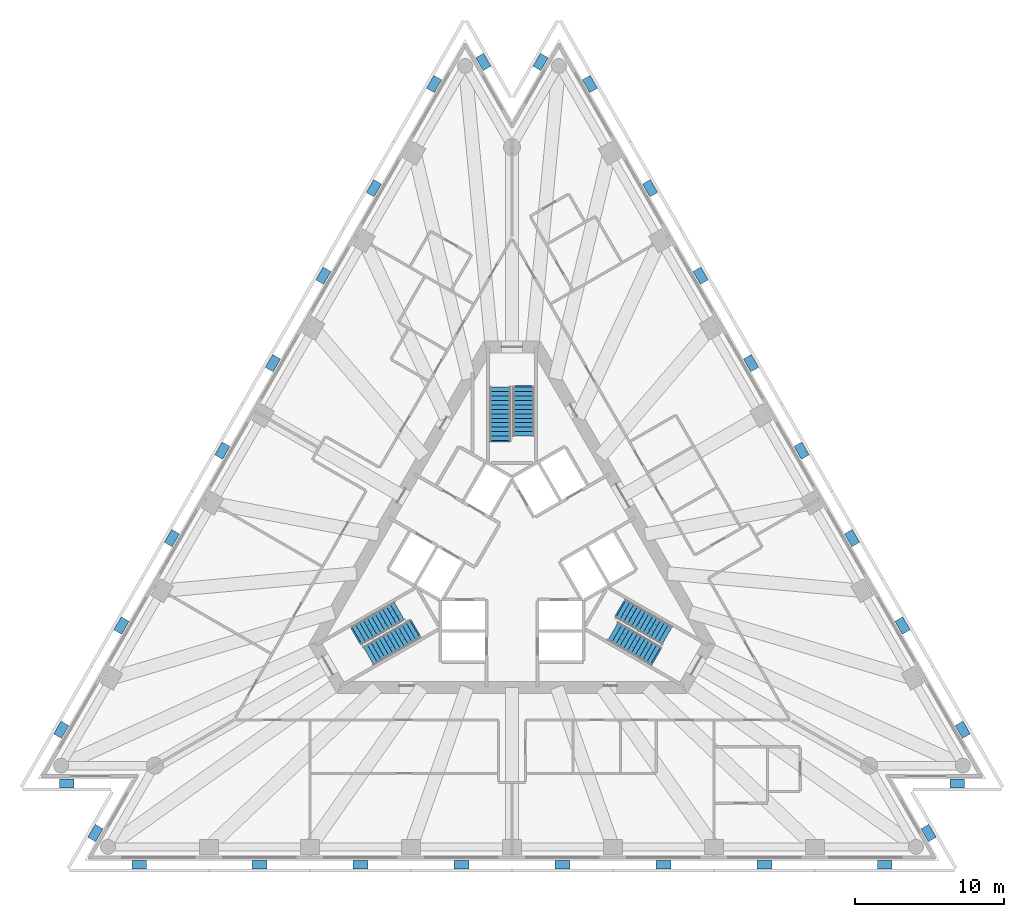
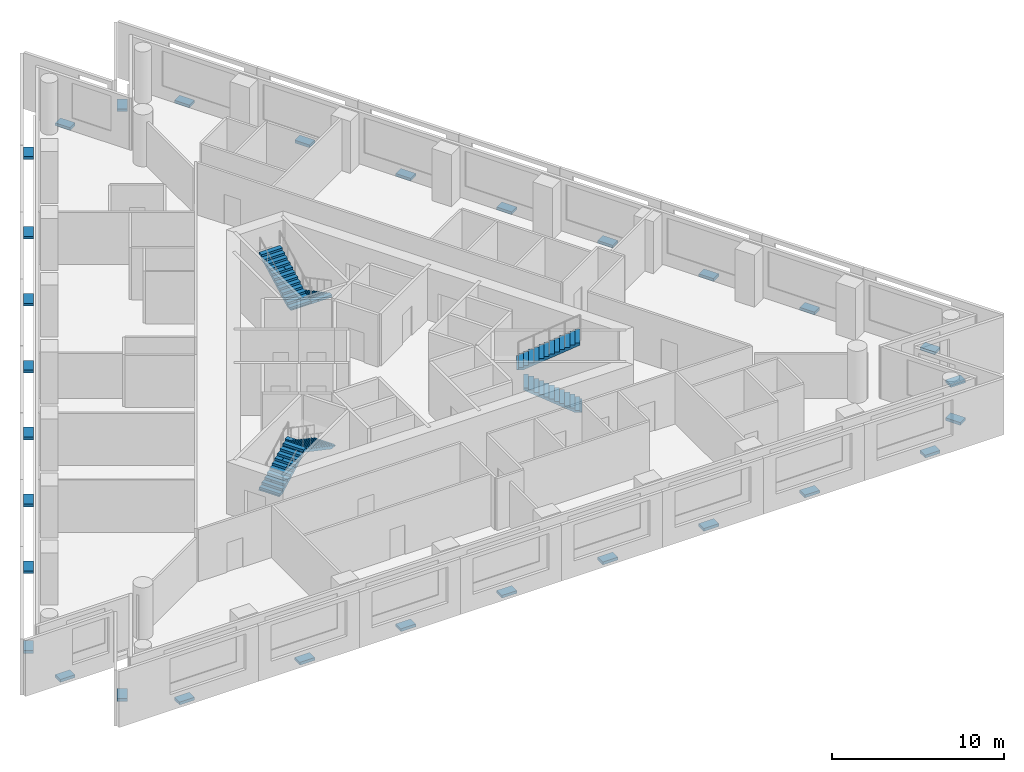
# One storey, part 7 of 9: 30 discrete accessories, 6 stair flights, 3 elements without a shape of their own.
"""IFC4 building model written with IfcOpenShell, lengths in metres."""

from ifc_helpers import new_model, si_unit, direction, frame, origin, origin_2d, place, context, subcontext, project, spatial, polyline, rectangle, outline, extrude, material, type_object, element, aggregate, save


model = new_model("IFC4")

# Units and contexts
model_context = context("Model", 3, precision=1e-05, world=origin(), true_north=direction((0.0, 1.0)))
body_context = subcontext(model_context, "Body", "Model", "MODEL_VIEW")
ifc_project = project(units=[si_unit("LENGTHUNIT", "METRE"), si_unit("AREAUNIT", "SQUARE_METRE"), si_unit("VOLUMEUNIT", "CUBIC_METRE"), si_unit("PLANEANGLEUNIT", "RADIAN"), si_unit("MASSUNIT", "GRAM", prefix="KILO")], contexts=[model_context])

# Site, building, storey
site_placement = place(None, origin())
site = spatial("IfcSite", under=ifc_project, at=site_placement, CompositionType="ELEMENT")
building_placement = place(site_placement, origin())
building = spatial("IfcBuilding", under=site, at=building_placement, Name="Triada Interchange Tower", CompositionType="ELEMENT")
storey_placement = place(building_placement, frame((0.0, 0.0, 132.300048828125)))
storey = spatial("IfcBuildingStorey", under=building, at=storey_placement, Name="L30", CompositionType="ELEMENT", Elevation=132.300048828125)

# Stair, stair flights
ifc_material_1 = material(Name="Concrete C35/45", Category="concrete")
stair_type = type_object("IfcStairType", Name="HALF TURN STAIR 1400", PredefinedType="HALF_TURN_STAIR", material=ifc_material_1)
stair_1_placement = place(storey_placement, origin())
stair_1 = element("IfcStair", 1, at=stair_1_placement, inside=storey, type_object=stair_type, Name="Exit stair S29-1", PredefinedType="HALF_TURN_STAIR")
stair_flight_type = type_object("IfcStairFlightType", Name="STRAIGHT STAIR FLIGHT 1400", PredefinedType="STRAIGHT", material=ifc_material_1)
stair_flight_1_placement = place(storey_placement, frame((0.800048828125, 11.60009765625, 0.0), z_axis=(0.0, 0.0, 1.0), x_axis=(0.0, -1.0, 0.0)))
stair_flight_1 = element("IfcStairFlight", 2, at=stair_flight_1_placement, type_object=stair_flight_type, Name="S29-1 flight 1", NumberOfRisers=12, NumberOfTreads=11, PredefinedType="STRAIGHT", RiserHeight=0.16, TreadLength=0.3, context=body_context, shape_type="SweptSolid", body=[
    extrude(outline(polyline([(-0.10009765625, 0.0), (-0.10009765625, 0.02001953125), (0.0, 0.02001953125), (0.0, 0.159912109375), (0.300048828125, 0.159912109375), (0.300048828125, 0.320068359375), (0.60009765625, 0.320068359375), (0.60009765625, 0.47998046875), (0.89990234375, 0.47998046875), (0.89990234375, 0.639892578125), (1.199951171875, 0.639892578125), (1.199951171875, 0.800048828125), (1.5, 0.800048828125), (1.5, 0.9599609375), (1.800048828125, 0.9599609375), (1.800048828125, 1.1201171875), (2.10009765625, 1.1201171875), (2.10009765625, 1.280029296875), (2.39990234375, 1.280029296875), (2.39990234375, 1.43994140625), (2.699951171875, 1.43994140625), (2.699951171875, 1.60009765625), (3.0, 1.60009765625), (3.0, 1.760009765625), (3.300048828125, 1.760009765625), (3.303955078125, 1.760009765625), (3.303955078125, 1.919921875), (3.303955078125, 1.590087890625), (0.318603515625, 0.0), (-0.10009765625, 0.0)])), frame((0.0, 0.699951171875, 0.0), z_axis=(0.0, -1.0, 0.0), x_axis=(1.0, 0.0, 0.0)), (0.0, 0.0, 1.0), 0.46533203125),
    extrude(outline(polyline([(-0.10009765625, 0.0), (-0.10009765625, 0.02001953125), (0.0, 0.02001953125), (0.0, 0.159912109375), (0.300048828125, 0.159912109375), (0.300048828125, 0.320068359375), (0.60009765625, 0.320068359375), (0.60009765625, 0.47998046875), (0.89990234375, 0.47998046875), (0.89990234375, 0.639892578125), (1.199951171875, 0.639892578125), (1.199951171875, 0.800048828125), (1.5, 0.800048828125), (1.5, 0.9599609375), (1.800048828125, 0.9599609375), (1.800048828125, 1.1201171875), (2.10009765625, 1.1201171875), (2.10009765625, 1.280029296875), (2.39990234375, 1.280029296875), (2.39990234375, 1.43994140625), (2.699951171875, 1.43994140625), (2.699951171875, 1.60009765625), (3.0, 1.60009765625), (3.0, 1.760009765625), (3.300048828125, 1.760009765625), (3.303955078125, 1.760009765625), (3.303955078125, 1.919921875), (3.303955078125, 1.590087890625), (0.318603515625, 0.0), (-0.10009765625, 0.0)])), frame((0.0, 0.232666015625, 0.0), z_axis=(0.0, -1.0, 0.0), x_axis=(1.0, 0.0, 0.0)), (0.0, 0.0, 1.0), 0.46533203125),
    extrude(outline(polyline([(-0.10009765625, 0.0), (-0.10009765625, 0.02001953125), (0.0, 0.02001953125), (0.0, 0.159912109375), (0.300048828125, 0.159912109375), (0.300048828125, 0.320068359375), (0.60009765625, 0.320068359375), (0.60009765625, 0.47998046875), (0.89990234375, 0.47998046875), (0.89990234375, 0.639892578125), (1.199951171875, 0.639892578125), (1.199951171875, 0.800048828125), (1.5, 0.800048828125), (1.5, 0.9599609375), (1.800048828125, 0.9599609375), (1.800048828125, 1.1201171875), (2.10009765625, 1.1201171875), (2.10009765625, 1.280029296875), (2.39990234375, 1.280029296875), (2.39990234375, 1.43994140625), (2.699951171875, 1.43994140625), (2.699951171875, 1.60009765625), (3.0, 1.60009765625), (3.0, 1.760009765625), (3.300048828125, 1.760009765625), (3.303955078125, 1.760009765625), (3.303955078125, 1.919921875), (3.303955078125, 1.590087890625), (0.318603515625, 0.0), (-0.10009765625, 0.0)])), frame((0.0, -0.234619140625, 0.0), z_axis=(0.0, -1.0, 0.0), x_axis=(1.0, 0.0, 0.0)), (0.0, 0.0, 1.0), 0.46533203125),
])
stair_flight_2_placement = place(storey_placement, frame((-0.800048828125, 8.0, 1.919921875), z_axis=(0.0, 0.0, 1.0), x_axis=(0.0, 1.0, 0.0)))
stair_flight_2 = element("IfcStairFlight", 3, at=stair_flight_2_placement, type_object=stair_flight_type, Name="S29-1 flight 2", NumberOfRisers=13, NumberOfTreads=12, PredefinedType="STRAIGHT", RiserHeight=0.16, TreadLength=0.3, context=body_context, shape_type="SweptSolid", body=[
    extrude(outline(polyline([(-0.10009765625, 0.0), (-0.10009765625, 0.02001953125), (0.0, 0.02001953125), (0.0, 0.159912109375), (0.300048828125, 0.159912109375), (0.300048828125, 0.320068359375), (0.60009765625, 0.320068359375), (0.60009765625, 0.47998046875), (0.89990234375, 0.47998046875), (0.89990234375, 0.639892578125), (1.199951171875, 0.639892578125), (1.199951171875, 0.800048828125), (1.5, 0.800048828125), (1.5, 0.9599609375), (1.800048828125, 0.9599609375), (1.800048828125, 1.1201171875), (2.10009765625, 1.1201171875), (2.10009765625, 1.280029296875), (2.39990234375, 1.280029296875), (2.39990234375, 1.43994140625), (2.699951171875, 1.43994140625), (2.699951171875, 1.60009765625), (3.0, 1.60009765625), (3.0, 1.760009765625), (3.300048828125, 1.760009765625), (3.300048828125, 1.919921875), (3.60009765625, 1.919921875), (3.60400390625, 1.919921875), (3.60400390625, 2.080078125), (3.60400390625, 1.75), (0.318603515625, 0.0), (-0.10009765625, 0.0)])), frame((0.0, 0.699951171875, 0.0), z_axis=(0.0, -1.0, 0.0), x_axis=(1.0, 0.0, 0.0)), (0.0, 0.0, 1.0), 0.46533203125),
    extrude(outline(polyline([(-0.10009765625, 0.0), (-0.10009765625, 0.02001953125), (0.0, 0.02001953125), (0.0, 0.159912109375), (0.300048828125, 0.159912109375), (0.300048828125, 0.320068359375), (0.60009765625, 0.320068359375), (0.60009765625, 0.47998046875), (0.89990234375, 0.47998046875), (0.89990234375, 0.639892578125), (1.199951171875, 0.639892578125), (1.199951171875, 0.800048828125), (1.5, 0.800048828125), (1.5, 0.9599609375), (1.800048828125, 0.9599609375), (1.800048828125, 1.1201171875), (2.10009765625, 1.1201171875), (2.10009765625, 1.280029296875), (2.39990234375, 1.280029296875), (2.39990234375, 1.43994140625), (2.699951171875, 1.43994140625), (2.699951171875, 1.60009765625), (3.0, 1.60009765625), (3.0, 1.760009765625), (3.300048828125, 1.760009765625), (3.300048828125, 1.919921875), (3.60009765625, 1.919921875), (3.60400390625, 1.919921875), (3.60400390625, 2.080078125), (3.60400390625, 1.75), (0.318603515625, 0.0), (-0.10009765625, 0.0)])), frame((0.0, 0.232666015625, 0.0), z_axis=(0.0, -1.0, 0.0), x_axis=(1.0, 0.0, 0.0)), (0.0, 0.0, 1.0), 0.46533203125),
    extrude(outline(polyline([(-0.10009765625, 0.0), (-0.10009765625, 0.02001953125), (0.0, 0.02001953125), (0.0, 0.159912109375), (0.300048828125, 0.159912109375), (0.300048828125, 0.320068359375), (0.60009765625, 0.320068359375), (0.60009765625, 0.47998046875), (0.89990234375, 0.47998046875), (0.89990234375, 0.639892578125), (1.199951171875, 0.639892578125), (1.199951171875, 0.800048828125), (1.5, 0.800048828125), (1.5, 0.9599609375), (1.800048828125, 0.9599609375), (1.800048828125, 1.1201171875), (2.10009765625, 1.1201171875), (2.10009765625, 1.280029296875), (2.39990234375, 1.280029296875), (2.39990234375, 1.43994140625), (2.699951171875, 1.43994140625), (2.699951171875, 1.60009765625), (3.0, 1.60009765625), (3.0, 1.760009765625), (3.300048828125, 1.760009765625), (3.300048828125, 1.919921875), (3.60009765625, 1.919921875), (3.60400390625, 1.919921875), (3.60400390625, 2.080078125), (3.60400390625, 1.75), (0.318603515625, 0.0), (-0.10009765625, 0.0)])), frame((0.0, -0.234619140625, 0.0), z_axis=(0.0, -1.0, 0.0), x_axis=(1.0, 0.0, 0.0)), (0.0, 0.0, 1.0), 0.46533203125),
])
aggregate(stair_1, [stair_flight_1, stair_flight_2])

stair_2_placement = place(storey_placement, origin())
stair_2 = element("IfcStair", 4, at=stair_2_placement, inside=storey, type_object=stair_type, Name="Exit stair S29-2", PredefinedType="HALF_TURN_STAIR")
stair_flight_3_placement = place(storey_placement, frame((-10.446044921875, -5.10693359375, 0.0), z_axis=(0.0, 0.0, 1.0), x_axis=(0.866025403784, 0.5, 0.0)))
stair_flight_3 = element("IfcStairFlight", 5, at=stair_flight_3_placement, type_object=stair_flight_type, Name="S29-2 flight 1", NumberOfRisers=12, NumberOfTreads=11, PredefinedType="STRAIGHT", RiserHeight=0.16, TreadLength=0.3, context=body_context, shape_type="SweptSolid", body=[
    extrude(outline(polyline([(-0.10009765625, 0.0), (-0.10009765625, 0.02001953125), (0.0, 0.02001953125), (0.0, 0.159912109375), (0.300048828125, 0.159912109375), (0.300048828125, 0.320068359375), (0.60009765625, 0.320068359375), (0.60009765625, 0.47998046875), (0.89990234375, 0.47998046875), (0.89990234375, 0.639892578125), (1.199951171875, 0.639892578125), (1.199951171875, 0.800048828125), (1.5, 0.800048828125), (1.5, 0.9599609375), (1.800048828125, 0.9599609375), (1.800048828125, 1.1201171875), (2.10009765625, 1.1201171875), (2.10009765625, 1.280029296875), (2.39990234375, 1.280029296875), (2.39990234375, 1.43994140625), (2.699951171875, 1.43994140625), (2.699951171875, 1.60009765625), (3.0, 1.60009765625), (3.0, 1.760009765625), (3.300048828125, 1.760009765625), (3.303955078125, 1.760009765625), (3.303955078125, 1.919921875), (3.303955078125, 1.590087890625), (0.318603515625, 0.0), (-0.10009765625, 0.0)])), frame((0.0, 0.699951171875, 0.0), z_axis=(0.0, -1.0, 0.0), x_axis=(1.0, 0.0, 0.0)), (0.0, 0.0, 1.0), 0.46533203125),
    extrude(outline(polyline([(-0.10009765625, 0.0), (-0.10009765625, 0.02001953125), (0.0, 0.02001953125), (0.0, 0.159912109375), (0.300048828125, 0.159912109375), (0.300048828125, 0.320068359375), (0.60009765625, 0.320068359375), (0.60009765625, 0.47998046875), (0.89990234375, 0.47998046875), (0.89990234375, 0.639892578125), (1.199951171875, 0.639892578125), (1.199951171875, 0.800048828125), (1.5, 0.800048828125), (1.5, 0.9599609375), (1.800048828125, 0.9599609375), (1.800048828125, 1.1201171875), (2.10009765625, 1.1201171875), (2.10009765625, 1.280029296875), (2.39990234375, 1.280029296875), (2.39990234375, 1.43994140625), (2.699951171875, 1.43994140625), (2.699951171875, 1.60009765625), (3.0, 1.60009765625), (3.0, 1.760009765625), (3.300048828125, 1.760009765625), (3.303955078125, 1.760009765625), (3.303955078125, 1.919921875), (3.303955078125, 1.590087890625), (0.318603515625, 0.0), (-0.10009765625, 0.0)])), frame((0.0, 0.232666015625, 0.0), z_axis=(0.0, -1.0, 0.0), x_axis=(1.0, 0.0, 0.0)), (0.0, 0.0, 1.0), 0.46533203125),
    extrude(outline(polyline([(-0.10009765625, 0.0), (-0.10009765625, 0.02001953125), (0.0, 0.02001953125), (0.0, 0.159912109375), (0.300048828125, 0.159912109375), (0.300048828125, 0.320068359375), (0.60009765625, 0.320068359375), (0.60009765625, 0.47998046875), (0.89990234375, 0.47998046875), (0.89990234375, 0.639892578125), (1.199951171875, 0.639892578125), (1.199951171875, 0.800048828125), (1.5, 0.800048828125), (1.5, 0.9599609375), (1.800048828125, 0.9599609375), (1.800048828125, 1.1201171875), (2.10009765625, 1.1201171875), (2.10009765625, 1.280029296875), (2.39990234375, 1.280029296875), (2.39990234375, 1.43994140625), (2.699951171875, 1.43994140625), (2.699951171875, 1.60009765625), (3.0, 1.60009765625), (3.0, 1.760009765625), (3.300048828125, 1.760009765625), (3.303955078125, 1.760009765625), (3.303955078125, 1.919921875), (3.303955078125, 1.590087890625), (0.318603515625, 0.0), (-0.10009765625, 0.0)])), frame((0.0, -0.234619140625, 0.0), z_axis=(0.0, -1.0, 0.0), x_axis=(1.0, 0.0, 0.0)), (0.0, 0.0, 1.0), 0.46533203125),
])
stair_flight_4_placement = place(storey_placement, frame((-6.528076171875, -4.693115234375, 1.919921875), z_axis=(0.0, 0.0, 1.0), x_axis=(-0.866025403784, -0.5, 0.0)))
stair_flight_4 = element("IfcStairFlight", 6, at=stair_flight_4_placement, type_object=stair_flight_type, Name="S29-2 flight 2", NumberOfRisers=13, NumberOfTreads=12, PredefinedType="STRAIGHT", RiserHeight=0.16, TreadLength=0.3, context=body_context, shape_type="SweptSolid", body=[
    extrude(outline(polyline([(-0.10009765625, 0.0), (-0.10009765625, 0.02001953125), (0.0, 0.02001953125), (0.0, 0.159912109375), (0.300048828125, 0.159912109375), (0.300048828125, 0.320068359375), (0.60009765625, 0.320068359375), (0.60009765625, 0.47998046875), (0.89990234375, 0.47998046875), (0.89990234375, 0.639892578125), (1.199951171875, 0.639892578125), (1.199951171875, 0.800048828125), (1.5, 0.800048828125), (1.5, 0.9599609375), (1.800048828125, 0.9599609375), (1.800048828125, 1.1201171875), (2.10009765625, 1.1201171875), (2.10009765625, 1.280029296875), (2.39990234375, 1.280029296875), (2.39990234375, 1.43994140625), (2.699951171875, 1.43994140625), (2.699951171875, 1.60009765625), (3.0, 1.60009765625), (3.0, 1.760009765625), (3.300048828125, 1.760009765625), (3.300048828125, 1.919921875), (3.60009765625, 1.919921875), (3.60400390625, 1.919921875), (3.60400390625, 2.080078125), (3.60400390625, 1.75), (0.318603515625, 0.0), (-0.10009765625, 0.0)])), frame((0.0, 0.699951171875, 0.0), z_axis=(0.0, -1.0, 0.0), x_axis=(1.0, 0.0, 0.0)), (0.0, 0.0, 1.0), 0.46533203125),
    extrude(outline(polyline([(-0.10009765625, 0.0), (-0.10009765625, 0.02001953125), (0.0, 0.02001953125), (0.0, 0.159912109375), (0.300048828125, 0.159912109375), (0.300048828125, 0.320068359375), (0.60009765625, 0.320068359375), (0.60009765625, 0.47998046875), (0.89990234375, 0.47998046875), (0.89990234375, 0.639892578125), (1.199951171875, 0.639892578125), (1.199951171875, 0.800048828125), (1.5, 0.800048828125), (1.5, 0.9599609375), (1.800048828125, 0.9599609375), (1.800048828125, 1.1201171875), (2.10009765625, 1.1201171875), (2.10009765625, 1.280029296875), (2.39990234375, 1.280029296875), (2.39990234375, 1.43994140625), (2.699951171875, 1.43994140625), (2.699951171875, 1.60009765625), (3.0, 1.60009765625), (3.0, 1.760009765625), (3.300048828125, 1.760009765625), (3.300048828125, 1.919921875), (3.60009765625, 1.919921875), (3.60400390625, 1.919921875), (3.60400390625, 2.080078125), (3.60400390625, 1.75), (0.318603515625, 0.0), (-0.10009765625, 0.0)])), frame((0.0, 0.232666015625, 0.0), z_axis=(0.0, -1.0, 0.0), x_axis=(1.0, 0.0, 0.0)), (0.0, 0.0, 1.0), 0.46533203125),
    extrude(outline(polyline([(-0.10009765625, 0.0), (-0.10009765625, 0.02001953125), (0.0, 0.02001953125), (0.0, 0.159912109375), (0.300048828125, 0.159912109375), (0.300048828125, 0.320068359375), (0.60009765625, 0.320068359375), (0.60009765625, 0.47998046875), (0.89990234375, 0.47998046875), (0.89990234375, 0.639892578125), (1.199951171875, 0.639892578125), (1.199951171875, 0.800048828125), (1.5, 0.800048828125), (1.5, 0.9599609375), (1.800048828125, 0.9599609375), (1.800048828125, 1.1201171875), (2.10009765625, 1.1201171875), (2.10009765625, 1.280029296875), (2.39990234375, 1.280029296875), (2.39990234375, 1.43994140625), (2.699951171875, 1.43994140625), (2.699951171875, 1.60009765625), (3.0, 1.60009765625), (3.0, 1.760009765625), (3.300048828125, 1.760009765625), (3.300048828125, 1.919921875), (3.60009765625, 1.919921875), (3.60400390625, 1.919921875), (3.60400390625, 2.080078125), (3.60400390625, 1.75), (0.318603515625, 0.0), (-0.10009765625, 0.0)])), frame((0.0, -0.234619140625, 0.0), z_axis=(0.0, -1.0, 0.0), x_axis=(1.0, 0.0, 0.0)), (0.0, 0.0, 1.0), 0.46533203125),
])
aggregate(stair_2, [stair_flight_3, stair_flight_4])

stair_3_placement = place(storey_placement, origin())
stair_3 = element("IfcStair", 7, at=stair_3_placement, inside=storey, type_object=stair_type, Name="Exit stair S29-3", PredefinedType="HALF_TURN_STAIR")
stair_flight_5_placement = place(storey_placement, frame((9.64599609375, -6.492919921875, 0.0), z_axis=(0.0, 0.0, 1.0), x_axis=(-0.866025403784, 0.5, 0.0)))
stair_flight_5 = element("IfcStairFlight", 8, at=stair_flight_5_placement, type_object=stair_flight_type, Name="S29-3 flight 1", NumberOfRisers=12, NumberOfTreads=11, PredefinedType="STRAIGHT", RiserHeight=0.16, TreadLength=0.3, context=body_context, shape_type="SweptSolid", body=[
    extrude(outline(polyline([(-0.10009765625, 0.0), (-0.10009765625, 0.02001953125), (0.0, 0.02001953125), (0.0, 0.159912109375), (0.300048828125, 0.159912109375), (0.300048828125, 0.320068359375), (0.60009765625, 0.320068359375), (0.60009765625, 0.47998046875), (0.89990234375, 0.47998046875), (0.89990234375, 0.639892578125), (1.199951171875, 0.639892578125), (1.199951171875, 0.800048828125), (1.5, 0.800048828125), (1.5, 0.9599609375), (1.800048828125, 0.9599609375), (1.800048828125, 1.1201171875), (2.10009765625, 1.1201171875), (2.10009765625, 1.280029296875), (2.39990234375, 1.280029296875), (2.39990234375, 1.43994140625), (2.699951171875, 1.43994140625), (2.699951171875, 1.60009765625), (3.0, 1.60009765625), (3.0, 1.760009765625), (3.300048828125, 1.760009765625), (3.303955078125, 1.760009765625), (3.303955078125, 1.919921875), (3.303955078125, 1.590087890625), (0.318603515625, 0.0), (-0.10009765625, 0.0)])), frame((0.0, 0.699951171875, 0.0), z_axis=(0.0, -1.0, 0.0), x_axis=(1.0, 0.0, 0.0)), (0.0, 0.0, 1.0), 0.46533203125),
    extrude(outline(polyline([(-0.10009765625, 0.0), (-0.10009765625, 0.02001953125), (0.0, 0.02001953125), (0.0, 0.159912109375), (0.300048828125, 0.159912109375), (0.300048828125, 0.320068359375), (0.60009765625, 0.320068359375), (0.60009765625, 0.47998046875), (0.89990234375, 0.47998046875), (0.89990234375, 0.639892578125), (1.199951171875, 0.639892578125), (1.199951171875, 0.800048828125), (1.5, 0.800048828125), (1.5, 0.9599609375), (1.800048828125, 0.9599609375), (1.800048828125, 1.1201171875), (2.10009765625, 1.1201171875), (2.10009765625, 1.280029296875), (2.39990234375, 1.280029296875), (2.39990234375, 1.43994140625), (2.699951171875, 1.43994140625), (2.699951171875, 1.60009765625), (3.0, 1.60009765625), (3.0, 1.760009765625), (3.300048828125, 1.760009765625), (3.303955078125, 1.760009765625), (3.303955078125, 1.919921875), (3.303955078125, 1.590087890625), (0.318603515625, 0.0), (-0.10009765625, 0.0)])), frame((0.0, 0.232666015625, 0.0), z_axis=(0.0, -1.0, 0.0), x_axis=(1.0, 0.0, 0.0)), (0.0, 0.0, 1.0), 0.46533203125),
    extrude(outline(polyline([(-0.10009765625, 0.0), (-0.10009765625, 0.02001953125), (0.0, 0.02001953125), (0.0, 0.159912109375), (0.300048828125, 0.159912109375), (0.300048828125, 0.320068359375), (0.60009765625, 0.320068359375), (0.60009765625, 0.47998046875), (0.89990234375, 0.47998046875), (0.89990234375, 0.639892578125), (1.199951171875, 0.639892578125), (1.199951171875, 0.800048828125), (1.5, 0.800048828125), (1.5, 0.9599609375), (1.800048828125, 0.9599609375), (1.800048828125, 1.1201171875), (2.10009765625, 1.1201171875), (2.10009765625, 1.280029296875), (2.39990234375, 1.280029296875), (2.39990234375, 1.43994140625), (2.699951171875, 1.43994140625), (2.699951171875, 1.60009765625), (3.0, 1.60009765625), (3.0, 1.760009765625), (3.300048828125, 1.760009765625), (3.303955078125, 1.760009765625), (3.303955078125, 1.919921875), (3.303955078125, 1.590087890625), (0.318603515625, 0.0), (-0.10009765625, 0.0)])), frame((0.0, -0.234619140625, 0.0), z_axis=(0.0, -1.0, 0.0), x_axis=(1.0, 0.0, 0.0)), (0.0, 0.0, 1.0), 0.46533203125),
])
stair_flight_6_placement = place(storey_placement, frame((7.327880859375, -3.306884765625, 1.919921875), z_axis=(0.0, 0.0, 1.0), x_axis=(0.866025403784, -0.5, 0.0)))
stair_flight_6 = element("IfcStairFlight", 9, at=stair_flight_6_placement, type_object=stair_flight_type, Name="S29-3 flight 2", NumberOfRisers=13, NumberOfTreads=12, PredefinedType="STRAIGHT", RiserHeight=0.16, TreadLength=0.3, context=body_context, shape_type="SweptSolid", body=[
    extrude(outline(polyline([(-0.10009765625, 0.0), (-0.10009765625, 0.02001953125), (0.0, 0.02001953125), (0.0, 0.159912109375), (0.300048828125, 0.159912109375), (0.300048828125, 0.320068359375), (0.60009765625, 0.320068359375), (0.60009765625, 0.47998046875), (0.89990234375, 0.47998046875), (0.89990234375, 0.639892578125), (1.199951171875, 0.639892578125), (1.199951171875, 0.800048828125), (1.5, 0.800048828125), (1.5, 0.9599609375), (1.800048828125, 0.9599609375), (1.800048828125, 1.1201171875), (2.10009765625, 1.1201171875), (2.10009765625, 1.280029296875), (2.39990234375, 1.280029296875), (2.39990234375, 1.43994140625), (2.699951171875, 1.43994140625), (2.699951171875, 1.60009765625), (3.0, 1.60009765625), (3.0, 1.760009765625), (3.300048828125, 1.760009765625), (3.300048828125, 1.919921875), (3.60009765625, 1.919921875), (3.60400390625, 1.919921875), (3.60400390625, 2.080078125), (3.60400390625, 1.75), (0.318603515625, 0.0), (-0.10009765625, 0.0)])), frame((0.0, 0.699951171875, 0.0), z_axis=(0.0, -1.0, 0.0), x_axis=(1.0, 0.0, 0.0)), (0.0, 0.0, 1.0), 0.46533203125),
    extrude(outline(polyline([(-0.10009765625, 0.0), (-0.10009765625, 0.02001953125), (0.0, 0.02001953125), (0.0, 0.159912109375), (0.300048828125, 0.159912109375), (0.300048828125, 0.320068359375), (0.60009765625, 0.320068359375), (0.60009765625, 0.47998046875), (0.89990234375, 0.47998046875), (0.89990234375, 0.639892578125), (1.199951171875, 0.639892578125), (1.199951171875, 0.800048828125), (1.5, 0.800048828125), (1.5, 0.9599609375), (1.800048828125, 0.9599609375), (1.800048828125, 1.1201171875), (2.10009765625, 1.1201171875), (2.10009765625, 1.280029296875), (2.39990234375, 1.280029296875), (2.39990234375, 1.43994140625), (2.699951171875, 1.43994140625), (2.699951171875, 1.60009765625), (3.0, 1.60009765625), (3.0, 1.760009765625), (3.300048828125, 1.760009765625), (3.300048828125, 1.919921875), (3.60009765625, 1.919921875), (3.60400390625, 1.919921875), (3.60400390625, 2.080078125), (3.60400390625, 1.75), (0.318603515625, 0.0), (-0.10009765625, 0.0)])), frame((0.0, 0.232666015625, 0.0), z_axis=(0.0, -1.0, 0.0), x_axis=(1.0, 0.0, 0.0)), (0.0, 0.0, 1.0), 0.46533203125),
    extrude(outline(polyline([(-0.10009765625, 0.0), (-0.10009765625, 0.02001953125), (0.0, 0.02001953125), (0.0, 0.159912109375), (0.300048828125, 0.159912109375), (0.300048828125, 0.320068359375), (0.60009765625, 0.320068359375), (0.60009765625, 0.47998046875), (0.89990234375, 0.47998046875), (0.89990234375, 0.639892578125), (1.199951171875, 0.639892578125), (1.199951171875, 0.800048828125), (1.5, 0.800048828125), (1.5, 0.9599609375), (1.800048828125, 0.9599609375), (1.800048828125, 1.1201171875), (2.10009765625, 1.1201171875), (2.10009765625, 1.280029296875), (2.39990234375, 1.280029296875), (2.39990234375, 1.43994140625), (2.699951171875, 1.43994140625), (2.699951171875, 1.60009765625), (3.0, 1.60009765625), (3.0, 1.760009765625), (3.300048828125, 1.760009765625), (3.300048828125, 1.919921875), (3.60009765625, 1.919921875), (3.60400390625, 1.919921875), (3.60400390625, 2.080078125), (3.60400390625, 1.75), (0.318603515625, 0.0), (-0.10009765625, 0.0)])), frame((0.0, -0.234619140625, 0.0), z_axis=(0.0, -1.0, 0.0), x_axis=(1.0, 0.0, 0.0)), (0.0, 0.0, 1.0), 0.46533203125),
])
aggregate(stair_3, [stair_flight_5, stair_flight_6])

# Discrete accessories
ifc_material_2 = material(Name="Steel S355", Category="steel")
discrete_accessory_type = type_object("IfcDiscreteAccessoryType", Name="Steel bracket outer skin", PredefinedType="BRACKET", material=ifc_material_2)
for number, where, z_axis, x_axis, name in (
    (10, (-5.241943359375, 31.98388671875, -0.27001953125), (0.0, 0.0, 1.0), (-0.866023318108, 0.500003612479, 0.0), "Bracket L30 01"),
    (11, (-9.2890625, 24.97509765625, -0.27001953125), (0.0, 0.0, 1.0), (-0.866023318108, 0.500003612479, 0.0), "Bracket L30 02"),
    (12, (-12.68603515625, 19.092041015625, -0.27001953125), (0.0, 0.0, 1.0), (-0.866023318108, 0.500003612479, 0.0), "Bracket L30 03"),
    (13, (-16.0830078125, 13.2080078125, -0.27001953125), (0.0, 0.0, 1.0), (-0.866023318108, 0.500003612479, 0.0), "Bracket L30 04"),
    (14, (-19.47998046875, 7.323974609375, -0.27001953125), (0.0, 0.0, 1.0), (-0.866023318108, 0.500003612479, 0.0), "Bracket L30 05"),
    (15, (-22.876953125, 1.43994140625, -0.27001953125), (0.0, 0.0, 1.0), (-0.866023318108, 0.500003612479, 0.0), "Bracket L30 06"),
    (16, (-26.27392578125, -4.443115234375, -0.27001953125), (0.0, 0.0, 1.0), (-0.866023318108, 0.500003612479, 0.0), "Bracket L30 07"),
    (17, (-30.320068359375, -11.451904296875, -0.27001953125), (0.0, 0.0, 1.0), (-0.866023318108, 0.500003612479, 0.0), "Bracket L30 08"),
    (18, (-29.947021484375, -15.069091796875, -0.27001953125), (0.0, 0.0, 1.0), (0.0, -1.0, 0.0), "Bracket L30 09"),
    (19, (-28.02392578125, -18.40087890625, -0.27001953125), (0.0, 0.0, 1.0), (-0.866029836887, 0.499992321563, 0.0), "Bracket L30 10"),
    (20, (-25.077880859375, -20.531982421875, -0.27001953125), (0.0, 0.0, 1.0), (0.0, -1.0, 0.0), "Bracket L30 11"),
    (21, (-16.985107421875, -20.531982421875, -0.27001953125), (0.0, 0.0, 1.0), (0.0, -1.0, 0.0), "Bracket L30 12"),
    (22, (-10.19091796875, -20.531982421875, -0.27001953125), (0.0, 0.0, 1.0), (0.0, -1.0, 0.0), "Bracket L30 13"),
    (23, (-3.39697265625, -20.531982421875, -0.27001953125), (0.0, 0.0, 1.0), (0.0, -1.0, 0.0), "Bracket L30 14"),
    (24, (3.39697265625, -20.531982421875, -0.27001953125), (0.0, 0.0, 1.0), (0.0, -1.0, 0.0), "Bracket L30 15"),
    (25, (10.19091796875, -20.531982421875, -0.27001953125), (0.0, 0.0, 1.0), (0.0, -1.0, 0.0), "Bracket L30 16"),
    (26, (16.985107421875, -20.531982421875, -0.27001953125), (0.0, 0.0, 1.0), (0.0, -1.0, 0.0), "Bracket L30 17"),
    (27, (25.077880859375, -20.531982421875, -0.27001953125), (0.0, 0.0, 1.0), (0.0, -1.0, 0.0), "Bracket L30 18"),
    (28, (28.02392578125, -18.40087890625, -0.27001953125), (0.0, 0.0, 1.0), (0.866029836887, 0.499992321563, 0.0), "Bracket L30 19"),
    (29, (29.947021484375, -15.069091796875, -0.27001953125), (0.0, 0.0, 1.0), (0.0, -1.0, 0.0), "Bracket L30 20"),
    (30, (30.320068359375, -11.451904296875, -0.27001953125), (0.0, 0.0, 1.0), (0.866023318108, 0.500003612479, 0.0), "Bracket L30 21"),
    (31, (26.27392578125, -4.443115234375, -0.27001953125), (0.0, 0.0, 1.0), (0.866023318108, 0.500003612479, 0.0), "Bracket L30 22"),
    (32, (22.876953125, 1.43994140625, -0.27001953125), (0.0, 0.0, 1.0), (0.866023318108, 0.500003612479, 0.0), "Bracket L30 23"),
    (33, (19.47998046875, 7.323974609375, -0.27001953125), (0.0, 0.0, 1.0), (0.866023318108, 0.500003612479, 0.0), "Bracket L30 24"),
    (34, (16.0830078125, 13.2080078125, -0.27001953125), (0.0, 0.0, 1.0), (0.866023318108, 0.500003612479, 0.0), "Bracket L30 25"),
    (35, (12.68603515625, 19.092041015625, -0.27001953125), (0.0, 0.0, 1.0), (0.866023318108, 0.500003612479, 0.0), "Bracket L30 26"),
    (36, (9.2890625, 24.97509765625, -0.27001953125), (0.0, 0.0, 1.0), (0.866023318108, 0.500003612479, 0.0), "Bracket L30 27"),
    (37, (5.241943359375, 31.98388671875, -0.27001953125), (0.0, 0.0, 1.0), (0.866023318108, 0.500003612479, 0.0), "Bracket L30 28"),
    (38, (1.923095703125, 33.469970703125, -0.27001953125), (0.0, 0.0, 1.0), (-0.865990198347, 0.500060972649, 0.0), "Bracket L30 29"),
    (39, (-1.923095703125, 33.469970703125, -0.27001953125), (0.0, 0.0, 1.0), (0.865990198347, 0.500060972649, 0.0), "Bracket L30 30"),
):
    element("IfcDiscreteAccessory", number, at=place(storey_placement, frame(where, z_axis=z_axis, x_axis=x_axis)), inside=storey, type_object=discrete_accessory_type, Name=name, PredefinedType="BRACKET", context=body_context, shape_type="SweptSolid", body=[
        extrude(rectangle(XDim=0.60009765625, YDim=1.0, at=origin_2d()), origin(), (0.0, 0.0, 1.0), 0.199951171875),
    ])

save(model, "model.ifc")
